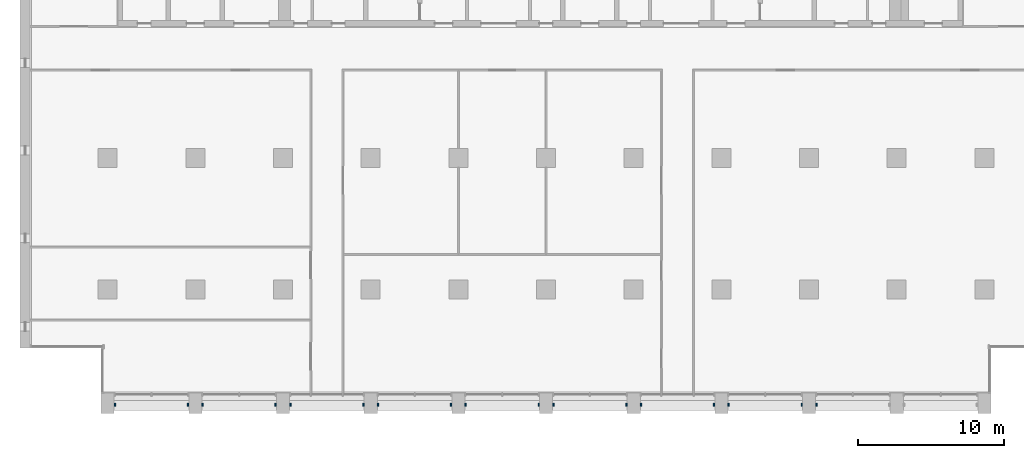
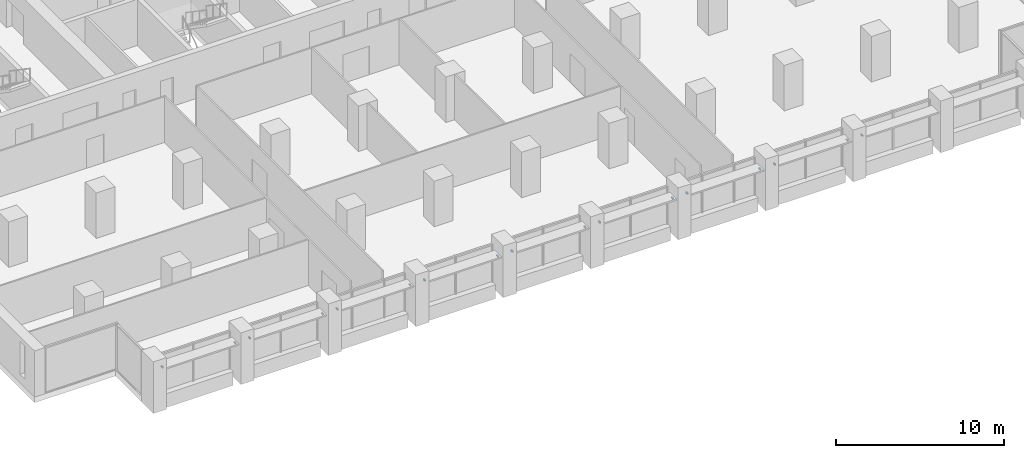
# One storey, part 13 of 15: 17 discrete accessories.
"""IFC4 building model written with IfcOpenShell, lengths in metres."""

from ifc_helpers import new_model, si_unit, direction, frame, origin, origin_2d, place, context, subcontext, project, spatial, rectangle, extrude, element, save


model = new_model("IFC4")

# Units and contexts
model_context = context("Model", 3, precision=1e-05, world=origin(), true_north=direction((0.0, 1.0)))
body_context = subcontext(model_context, "Body", "Model", "MODEL_VIEW")
ifc_project = project(units=[si_unit("LENGTHUNIT", "METRE"), si_unit("AREAUNIT", "SQUARE_METRE"), si_unit("VOLUMEUNIT", "CUBIC_METRE"), si_unit("PLANEANGLEUNIT", "RADIAN"), si_unit("MASSUNIT", "GRAM", prefix="KILO")], contexts=[model_context])

# Site, building, storey
site_placement = place(None, origin())
site = spatial("IfcSite", under=ifc_project, at=site_placement, CompositionType="ELEMENT")
building_placement = place(site_placement, origin())
building = spatial("IfcBuilding", under=site, at=building_placement, Name="Calvaro Tower", CompositionType="ELEMENT")
storey_placement = place(building_placement, frame((0.0, 0.0, 125.0)))
storey = spatial("IfcBuildingStorey", under=building, at=storey_placement, Name="L31", CompositionType="ELEMENT", Elevation=125.0)

# Discrete accessories
for number, where, z_axis, x_axis, name in (
    (1, (6.5, 2.10009765625, 2.25), (0.0, 0.0, 1.0), (1.0, 0.0, 0.0), "Brise-soleil bracket"),
    (2, (11.5, 2.10009765625, 2.25), (0.0, 0.0, 1.0), (1.0, 0.0, 0.0), "Brise-soleil bracket"),
    (3, (12.5, 2.10009765625, 2.25), (0.0, 0.0, 1.0), (1.0, 0.0, 0.0), "Brise-soleil bracket"),
    (4, (17.5, 2.10009765625, 2.25), (0.0, 0.0, 1.0), (1.0, 0.0, 0.0), "Brise-soleil bracket"),
    (5, (18.5, 2.10009765625, 2.25), (0.0, 0.0, 1.0), (1.0, 0.0, 0.0), "Brise-soleil bracket"),
    (6, (23.5, 2.10009765625, 2.25), (0.0, 0.0, 1.0), (1.0, 0.0, 0.0), "Brise-soleil bracket"),
    (7, (24.5, 2.10009765625, 2.25), (0.0, 0.0, 1.0), (1.0, 0.0, 0.0), "Brise-soleil bracket"),
    (8, (29.5, 2.10009765625, 2.25), (0.0, 0.0, 1.0), (1.0, 0.0, 0.0), "Brise-soleil bracket"),
    (9, (30.5, 2.10009765625, 2.25), (0.0, 0.0, 1.0), (1.0, 0.0, 0.0), "Brise-soleil bracket"),
    (10, (35.5, 2.10009765625, 2.25), (0.0, 0.0, 1.0), (1.0, 0.0, 0.0), "Brise-soleil bracket"),
    (11, (36.5, 2.10009765625, 2.25), (0.0, 0.0, 1.0), (1.0, 0.0, 0.0), "Brise-soleil bracket"),
    (12, (41.5, 2.10009765625, 2.25), (0.0, 0.0, 1.0), (1.0, 0.0, 0.0), "Brise-soleil bracket"),
    (13, (42.5, 2.10009765625, 2.25), (0.0, 0.0, 1.0), (1.0, 0.0, 0.0), "Brise-soleil bracket"),
    (14, (47.5, 2.10009765625, 2.25), (0.0, 0.0, 1.0), (1.0, 0.0, 0.0), "Brise-soleil bracket"),
    (15, (48.5, 2.10009765625, 2.25), (0.0, 0.0, 1.0), (1.0, 0.0, 0.0), "Brise-soleil bracket"),
    (16, (53.5, 2.10009765625, 2.25), (0.0, 0.0, 1.0), (1.0, 0.0, 0.0), "Brise-soleil bracket"),
    (17, (54.5, 2.10009765625, 2.25), (0.0, 0.0, 1.0), (1.0, 0.0, 0.0), "Brise-soleil bracket"),
):
    element("IfcDiscreteAccessory", number, at=place(storey_placement, frame(where, z_axis=z_axis, x_axis=x_axis)), inside=storey, Name=name, PredefinedType="BRACKET", context=body_context, shape_type="SweptSolid", body=[
        extrude(rectangle(XDim=0.10009765625, YDim=0.199951171875, at=origin_2d()), origin(), (0.0, 0.0, 1.0), 0.10009765625),
    ])

save(model, "model.ifc")
